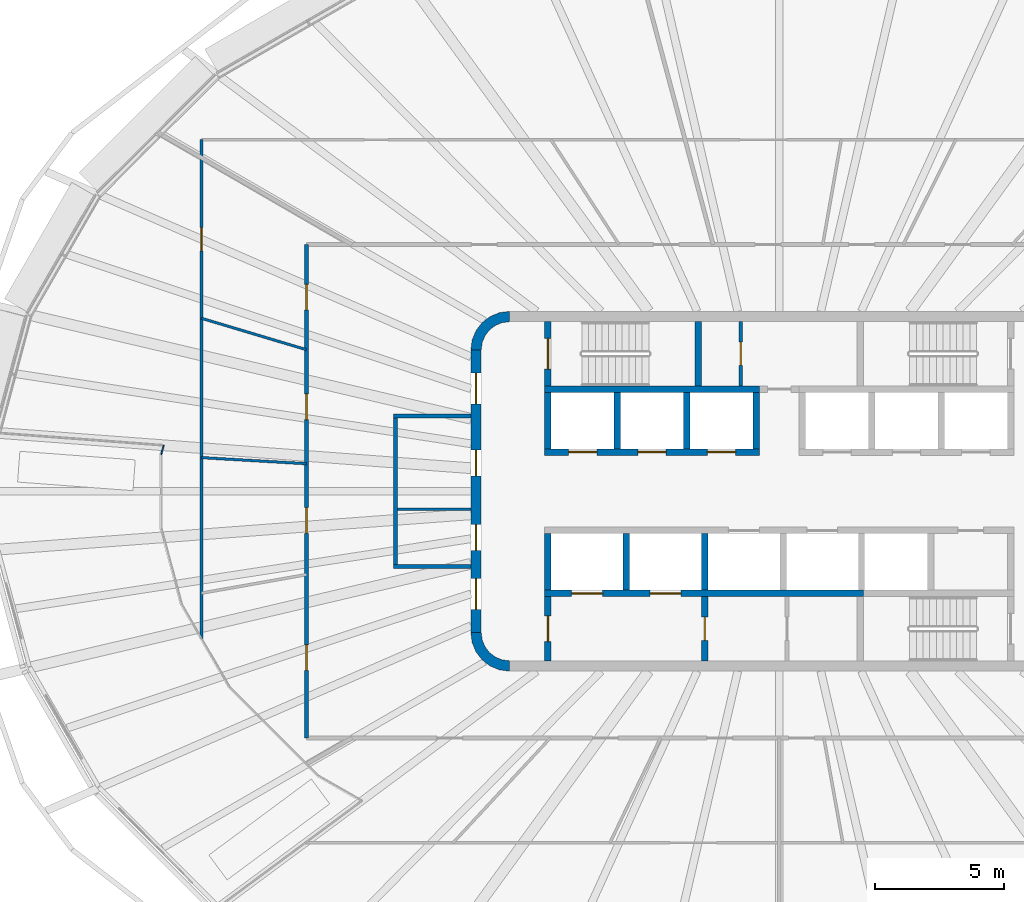
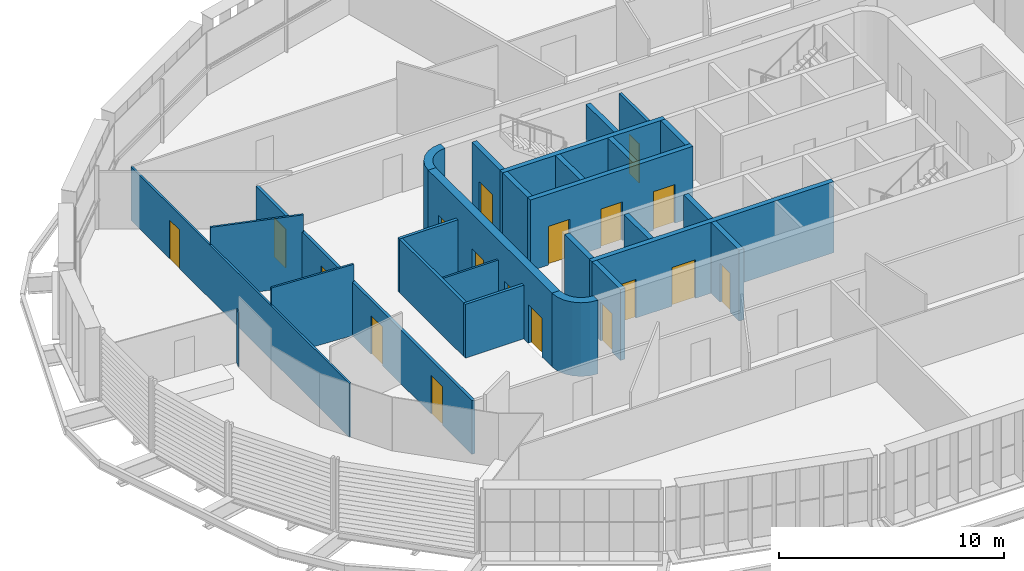
# One storey, part 10 of 20: 27 walls, 18 doors, 18 openings.
"""IFC4 building model written with IfcOpenShell, lengths in metres."""

from ifc_helpers import new_model, si_unit, direction, frame, frame_2d, origin, place, context, subcontext, project, spatial, polyline, rectangle, outline, extrude, material, layer, layer_set, type_object, element, fill, save


model = new_model("IFC4")

# Units and contexts
model_context = context("Model", 3, precision=1e-05, world=origin(), true_north=direction((0.0, 1.0)))
body_context = subcontext(model_context, "Body", "Model", "MODEL_VIEW")
ifc_project = project(units=[si_unit("LENGTHUNIT", "METRE"), si_unit("AREAUNIT", "SQUARE_METRE"), si_unit("VOLUMEUNIT", "CUBIC_METRE"), si_unit("PLANEANGLEUNIT", "RADIAN"), si_unit("MASSUNIT", "GRAM", prefix="KILO")], contexts=[model_context])

# Site, building, storey
site_placement = place(None, origin())
site = spatial("IfcSite", under=ifc_project, at=site_placement, CompositionType="ELEMENT")
building_placement = place(site_placement, origin())
building = spatial("IfcBuilding", under=site, at=building_placement, Name="Sahrelin Media Tower", CompositionType="ELEMENT")
storey_placement = place(building_placement, frame((0.0, 0.0, 221.60009765625)))
storey = spatial("IfcBuildingStorey", under=building, at=storey_placement, Name="L47", CompositionType="ELEMENT", Elevation=221.60009765625)

# Wall, openings, doors
ifc_material_1 = material(Name="Concrete C60/75", Category="concrete")
ifc_layer_1 = layer(ifc_material_1, 0.39990234375)
ifc_layer_set_1 = layer_set([ifc_layer_1], Name="Core wall 400")
wall_type_1 = type_object("IfcWallType", Name="Core wall 400", PredefinedType="SHEAR", material=ifc_layer_set_1)
wall_1_placement = place(storey_placement, frame((-11.800048828125, -5.5, 0.0), z_axis=(0.0, 0.0, 1.0), x_axis=(0.0, 1.0, 0.0)))
wall_1 = element("IfcWall", 1, at=wall_1_placement, inside=storey, type_object=wall_type_1, Name="Core wall W L47", PredefinedType="SHEAR", context=body_context, shape_type="SweptSolid", body=[
    extrude(rectangle(XDim=11.0, YDim=0.39990234375, at=frame_2d((5.5, 0.0))), origin(), (0.0, 0.0, 1.0), 4.0),
])
opening_1_placement = place(wall_1_placement, frame((3.199951171875, 0.0, 0.0)))
opening_1 = element("IfcOpeningElement", 2, at=opening_1_placement, cuts=wall_1, Name="Opening L47-D10", PredefinedType="OPENING", context=body_context, shape_type="SweptSolid", body=[
    extrude(rectangle(XDim=1.0, YDim=2.10009765625, at=frame_2d((0.5, 1.050048828125))), frame((0.0, 0.199951171875, 0.0), z_axis=(0.0, -1.0, 0.0), x_axis=(1.0, 0.0, 0.0)), (0.0, 0.0, 1.0), 0.39990234375),
])
opening_2_placement = place(wall_1_placement, frame((6.10009765625, 0.0, 0.0)))
opening_2 = element("IfcOpeningElement", 3, at=opening_2_placement, cuts=wall_1, Name="Opening L47-D11", PredefinedType="OPENING", context=body_context, shape_type="SweptSolid", body=[
    extrude(rectangle(XDim=1.0, YDim=2.10009765625, at=frame_2d((0.5, 1.050048828125))), frame((0.0, 0.199951171875, 0.0), z_axis=(0.0, -1.0, 0.0), x_axis=(1.0, 0.0, 0.0)), (0.0, 0.0, 1.0), 0.39990234375),
])
opening_3_placement = place(wall_1_placement, frame((0.89990234375, 0.0, 0.0)))
opening_3 = element("IfcOpeningElement", 4, at=opening_3_placement, cuts=wall_1, Name="Opening L47-D14", PredefinedType="OPENING", context=body_context, shape_type="SweptSolid", body=[
    extrude(rectangle(XDim=1.199951171875, YDim=2.10009765625, at=frame_2d((0.60009765625, 1.050048828125))), frame((0.0, 0.199951171875, 0.0), z_axis=(0.0, -1.0, 0.0), x_axis=(1.0, 0.0, 0.0)), (0.0, 0.0, 1.0), 0.39990234375),
])
opening_4_placement = place(wall_1_placement, frame((8.89990234375, 0.0, 0.0)))
opening_4 = element("IfcOpeningElement", 5, at=opening_4_placement, cuts=wall_1, Name="Opening L47-D15", PredefinedType="OPENING", context=body_context, shape_type="SweptSolid", body=[
    extrude(rectangle(XDim=1.199951171875, YDim=2.10009765625, at=frame_2d((0.60009765625, 1.050048828125))), frame((0.0, 0.199951171875, 0.0), z_axis=(0.0, -1.0, 0.0), x_axis=(1.0, 0.0, 0.0)), (0.0, 0.0, 1.0), 0.39990234375),
])
ifc_material_2 = material(Name="Steel fire door leaf", Category="steel")
door_type_1 = type_object("IfcDoorType", Name="Fire door 1000 x 2100 EI 60", OperationType="NOTDEFINED", PredefinedType="DOOR", material=ifc_material_2)
door_1_placement = place(opening_1_placement, origin())
door_1 = element("IfcDoor", 6, at=door_1_placement, inside=storey, type_object=door_type_1, Name="Core room door", OperationType="SINGLE_SWING_RIGHT", OverallHeight=2.10009765625, OverallWidth=1.0, PredefinedType="DOOR", context=body_context, shape_type="SweptSolid", body=[
    extrude(rectangle(XDim=1.0, YDim=2.10009765625, at=frame_2d((0.5, 1.050048828125))), frame((0.0, 0.02490234375, 0.0), z_axis=(0.0, -1.0, 0.0), x_axis=(1.0, 0.0, 0.0)), (0.0, 0.0, 1.0), 0.050048828125),
])
fill(opening_1, door_1)
door_2_placement = place(opening_2_placement, origin())
door_2 = element("IfcDoor", 7, at=door_2_placement, inside=storey, type_object=door_type_1, Name="Core room door", OperationType="SINGLE_SWING_RIGHT", OverallHeight=2.10009765625, OverallWidth=1.0, PredefinedType="DOOR", context=body_context, shape_type="SweptSolid", body=[
    extrude(rectangle(XDim=1.0, YDim=2.10009765625, at=frame_2d((0.5, 1.050048828125))), frame((0.0, 0.02490234375, 0.0), z_axis=(0.0, -1.0, 0.0), x_axis=(1.0, 0.0, 0.0)), (0.0, 0.0, 1.0), 0.050048828125),
])
fill(opening_2, door_2)
door_type_2 = type_object("IfcDoorType", Name="Lobby door 1200 x 2100 EI 60", OperationType="NOTDEFINED", PredefinedType="DOOR", material=ifc_material_2)
door_3_placement = place(opening_3_placement, origin())
door_3 = element("IfcDoor", 8, at=door_3_placement, inside=storey, type_object=door_type_2, Name="Lobby door", OperationType="SINGLE_SWING_LEFT", OverallHeight=2.10009765625, OverallWidth=1.199951171875, PredefinedType="DOOR", context=body_context, shape_type="SweptSolid", body=[
    extrude(rectangle(XDim=1.199951171875, YDim=2.10009765625, at=frame_2d((0.60009765625, 1.050048828125))), frame((0.0, 0.02490234375, 0.0), z_axis=(0.0, -1.0, 0.0), x_axis=(1.0, 0.0, 0.0)), (0.0, 0.0, 1.0), 0.050048828125),
])
fill(opening_3, door_3)
door_4_placement = place(opening_4_placement, origin())
door_4 = element("IfcDoor", 9, at=door_4_placement, inside=storey, type_object=door_type_2, Name="Lobby door", OperationType="SINGLE_SWING_LEFT", OverallHeight=2.10009765625, OverallWidth=1.199951171875, PredefinedType="DOOR", context=body_context, shape_type="SweptSolid", body=[
    extrude(rectangle(XDim=1.199951171875, YDim=2.10009765625, at=frame_2d((0.60009765625, 1.050048828125))), frame((0.0, 0.02490234375, 0.0), z_axis=(0.0, -1.0, 0.0), x_axis=(1.0, 0.0, 0.0)), (0.0, 0.0, 1.0), 0.050048828125),
])
fill(opening_4, door_4)

# Walls
placement = place(storey_placement, origin())
element("IfcWall", 10, at=placement, inside=storey, type_object=wall_type_1, Name="Core wall corner NW L47", PredefinedType="SHEAR", context=body_context, shape_type="SweptSolid", body=[
    extrude(outline(polyline([(-12.0, 5.5), (-11.596435546875, 5.5), (-11.55908203125, 5.78369140625), (-11.44970703125, 6.04833984375), (-11.275390625, 6.275390625), (-11.04833984375, 6.44970703125), (-10.78369140625, 6.55908203125), (-10.5, 6.596435546875), (-10.5, 7.0), (-10.88818359375, 6.948974609375), (-11.25, 6.799072265625), (-11.560791015625, 6.560791015625), (-11.799072265625, 6.25), (-11.948974609375, 5.88818359375), (-12.0, 5.5)])), origin(), (0.0, 0.0, 1.0), 4.0),
])
element("IfcWall", 11, at=placement, inside=storey, type_object=wall_type_1, Name="Core wall corner SW L47", PredefinedType="SHEAR", context=body_context, shape_type="SweptSolid", body=[
    extrude(outline(polyline([(-10.5, -7.0), (-10.5, -6.596435546875), (-10.78369140625, -6.55908203125), (-11.04833984375, -6.44970703125), (-11.275390625, -6.275390625), (-11.44970703125, -6.04833984375), (-11.55908203125, -5.78369140625), (-11.596435546875, -5.5), (-12.0, -5.5), (-11.948974609375, -5.88818359375), (-11.799072265625, -6.25), (-11.560791015625, -6.560791015625), (-11.25, -6.799072265625), (-10.88818359375, -6.948974609375), (-10.5, -7.0)])), origin(), (0.0, 0.0, 1.0), 4.0),
])
ifc_material_3 = material(Name="Fire-rated gypsum board partition")
ifc_layer_2 = layer(ifc_material_3, 0.10009765625)
ifc_layer_set_2 = layer_set([ifc_layer_2], Name="Fire-rated partition 100")
wall_type_2 = type_object("IfcWallType", Name="Fire-rated partition 100", PredefinedType="PARTITIONING", material=ifc_layer_set_2)
wall_4_placement = place(storey_placement, frame((-14.85009765625, -0.699951171875, 0.0), z_axis=(0.0, 0.0, 1.0), x_axis=(1.0, 0.0, 0.0)))
element("IfcWall", 12, at=wall_4_placement, inside=storey, type_object=wall_type_2, Name="Core room partition", PredefinedType="PARTITIONING", context=body_context, shape_type="SweptSolid", body=[
    extrude(rectangle(XDim=2.85009765625, YDim=0.10009765625, at=frame_2d((1.425048828125, 0.0))), origin(), (0.0, 0.0, 1.0), 2.918212890625),
])

# Wall, opening, door
ifc_layer_3 = layer(ifc_material_3, 0.14990234375)
ifc_layer_set_3 = layer_set([ifc_layer_3], Name="Fire-rated partition 150")
wall_type_3 = type_object("IfcWallType", Name="Fire-rated partition 150", PredefinedType="PARTITIONING", material=ifc_layer_set_3)
wall_5_placement = place(storey_placement, frame((-1.5, 4.10009765625, 0.0), z_axis=(0.0, 0.0, 1.0), x_axis=(0.0, 1.0, 0.0)))
wall_5 = element("IfcWall", 13, at=wall_5_placement, inside=storey, type_object=wall_type_3, Name="Core room fire partition", PredefinedType="PARTITIONING", context=body_context, shape_type="SweptSolid", body=[
    extrude(rectangle(XDim=2.5, YDim=0.14990234375, at=frame_2d((1.25, 0.0))), origin(), (0.0, 0.0, 1.0), 3.849853515625),
])
opening_5_placement = place(wall_5_placement, frame((0.800048828125, 0.0, 0.0)))
opening_5 = element("IfcOpeningElement", 14, at=opening_5_placement, cuts=wall_5, Name="Opening L47-D07", PredefinedType="OPENING", context=body_context, shape_type="SweptSolid", body=[
    extrude(rectangle(XDim=0.89990234375, YDim=2.10009765625, at=frame_2d((0.449951171875, 1.050048828125))), frame((0.0, 0.074951171875, 0.0), z_axis=(0.0, -1.0, 0.0), x_axis=(1.0, 0.0, 0.0)), (0.0, 0.0, 1.0), 0.14990234375),
])
door_type_3 = type_object("IfcDoorType", Name="Fire door 900 x 2100 EI 60", OperationType="NOTDEFINED", PredefinedType="DOOR", material=ifc_material_2)
door_5_placement = place(opening_5_placement, origin())
door_5 = element("IfcDoor", 15, at=door_5_placement, inside=storey, type_object=door_type_3, Name="Core room door", OperationType="SINGLE_SWING_LEFT", OverallHeight=2.10009765625, OverallWidth=0.89990234375, PredefinedType="DOOR", context=body_context, shape_type="SweptSolid", body=[
    extrude(rectangle(XDim=0.89990234375, YDim=2.10009765625, at=frame_2d((0.449951171875, 1.050048828125))), frame((0.0, 0.02490234375, 0.0), z_axis=(0.0, -1.0, 0.0), x_axis=(1.0, 0.0, 0.0)), (0.0, 0.0, 1.0), 0.050048828125),
])
fill(opening_5, door_5)

# Walls
wall_6_placement = place(storey_placement, frame((-14.925048828125, -2.85009765625, 0.0), z_axis=(0.0, 0.0, 1.0), x_axis=(0.0, 1.0, 0.0)))
element("IfcWall", 16, at=wall_6_placement, inside=storey, type_object=wall_type_3, Name="Core room fire partition", PredefinedType="PARTITIONING", context=body_context, shape_type="SweptSolid", body=[
    extrude(rectangle(XDim=5.7001953125, YDim=0.14990234375, at=frame_2d((2.85009765625, 0.0))), origin(), (0.0, 0.0, 1.0), 2.918212890625),
])
for number, where, z_axis, x_axis, name in (
    (17, (-15.0, 2.925048828125, 0.0), (0.0, 0.0, 1.0), (1.0, 0.0, 0.0), "Core room fire partition"),
    (18, (-15.0, -2.925048828125, 0.0), (0.0, 0.0, 1.0), (1.0, 0.0, 0.0), "Core room fire partition"),
):
    element("IfcWall", number, at=place(storey_placement, frame(where, z_axis=z_axis, x_axis=x_axis)), inside=storey, type_object=wall_type_3, Name=name, PredefinedType="PARTITIONING", context=body_context, shape_type="SweptSolid", body=[
        extrude(rectangle(XDim=3.0, YDim=0.14990234375, at=frame_2d((1.5, 0.0))), origin(), (0.0, 0.0, 1.0), 2.918212890625),
    ])

# Wall, openings, doors
wall_7_placement = place(storey_placement, frame((-18.39990234375, -9.60009765625, 0.0), z_axis=(0.0, 0.0, 1.0), x_axis=(0.0, 1.0, 0.0)))
wall_7 = element("IfcWall", 19, at=wall_7_placement, inside=storey, type_object=wall_type_3, Name="Wall", PredefinedType="PARTITIONING", context=body_context, shape_type="SweptSolid", body=[
    extrude(rectangle(XDim=19.2001953125, YDim=0.14990234375, at=frame_2d((9.60009765625, 0.0))), origin(), (0.0, 0.0, 1.0), 2.918212890625),
])
opening_6_placement = place(wall_7_placement, frame((16.654541015625, 0.0, 0.0)))
opening_6 = element("IfcOpeningElement", 20, at=opening_6_placement, cuts=wall_7, Name="Opening L47-D18", PredefinedType="OPENING", context=body_context, shape_type="SweptSolid", body=[
    extrude(rectangle(XDim=1.0, YDim=2.10009765625, at=frame_2d((0.5, 1.050048828125))), frame((0.0, 0.074951171875, 0.0), z_axis=(0.0, -1.0, 0.0), x_axis=(1.0, 0.0, 0.0)), (0.0, 0.0, 1.0), 0.14990234375),
])
opening_7_placement = place(wall_7_placement, frame((12.390380859375, 0.0, 0.0)))
opening_7 = element("IfcOpeningElement", 21, at=opening_7_placement, cuts=wall_7, Name="Opening L47-D19", PredefinedType="OPENING", context=body_context, shape_type="SweptSolid", body=[
    extrude(rectangle(XDim=1.0, YDim=2.10009765625, at=frame_2d((0.5, 1.050048828125))), frame((0.0, 0.074951171875, 0.0), z_axis=(0.0, -1.0, 0.0), x_axis=(1.0, 0.0, 0.0)), (0.0, 0.0, 1.0), 0.14990234375),
])
opening_8_placement = place(wall_7_placement, frame((7.963623046875, 0.0, 0.0)))
opening_8 = element("IfcOpeningElement", 22, at=opening_8_placement, cuts=wall_7, Name="Opening L47-D20", PredefinedType="OPENING", context=body_context, shape_type="SweptSolid", body=[
    extrude(rectangle(XDim=1.0, YDim=2.10009765625, at=frame_2d((0.5, 1.050048828125))), frame((0.0, 0.074951171875, 0.0), z_axis=(0.0, -1.0, 0.0), x_axis=(1.0, 0.0, 0.0)), (0.0, 0.0, 1.0), 0.14990234375),
])
opening_9_placement = place(wall_7_placement, frame((2.627197265625, 0.0, 0.0)))
opening_9 = element("IfcOpeningElement", 23, at=opening_9_placement, cuts=wall_7, Name="Opening L47-D21", PredefinedType="OPENING", context=body_context, shape_type="SweptSolid", body=[
    extrude(rectangle(XDim=1.0, YDim=2.10009765625, at=frame_2d((0.5, 1.050048828125))), frame((0.0, 0.074951171875, 0.0), z_axis=(0.0, -1.0, 0.0), x_axis=(1.0, 0.0, 0.0)), (0.0, 0.0, 1.0), 0.14990234375),
])
door_6_placement = place(opening_6_placement, origin())
door_6 = element("IfcDoor", 24, at=door_6_placement, inside=storey, type_object=door_type_1, Name="Fire door", OperationType="SINGLE_SWING_LEFT", OverallHeight=2.10009765625, OverallWidth=1.0, PredefinedType="DOOR", context=body_context, shape_type="SweptSolid", body=[
    extrude(rectangle(XDim=1.0, YDim=2.10009765625, at=frame_2d((0.5, 1.050048828125))), frame((0.0, 0.02490234375, 0.0), z_axis=(0.0, -1.0, 0.0), x_axis=(1.0, 0.0, 0.0)), (0.0, 0.0, 1.0), 0.050048828125),
])
fill(opening_6, door_6)
door_7_placement = place(opening_7_placement, origin())
door_7 = element("IfcDoor", 25, at=door_7_placement, inside=storey, type_object=door_type_1, Name="Fire door", OperationType="SINGLE_SWING_LEFT", OverallHeight=2.10009765625, OverallWidth=1.0, PredefinedType="DOOR", context=body_context, shape_type="SweptSolid", body=[
    extrude(rectangle(XDim=1.0, YDim=2.10009765625, at=frame_2d((0.5, 1.050048828125))), frame((0.0, 0.02490234375, 0.0), z_axis=(0.0, -1.0, 0.0), x_axis=(1.0, 0.0, 0.0)), (0.0, 0.0, 1.0), 0.050048828125),
])
fill(opening_7, door_7)
door_8_placement = place(opening_8_placement, origin())
door_8 = element("IfcDoor", 26, at=door_8_placement, inside=storey, type_object=door_type_1, Name="Fire door", OperationType="SINGLE_SWING_LEFT", OverallHeight=2.10009765625, OverallWidth=1.0, PredefinedType="DOOR", context=body_context, shape_type="SweptSolid", body=[
    extrude(rectangle(XDim=1.0, YDim=2.10009765625, at=frame_2d((0.5, 1.050048828125))), frame((0.0, 0.02490234375, 0.0), z_axis=(0.0, -1.0, 0.0), x_axis=(1.0, 0.0, 0.0)), (0.0, 0.0, 1.0), 0.050048828125),
])
fill(opening_8, door_8)
door_9_placement = place(opening_9_placement, origin())
door_9 = element("IfcDoor", 27, at=door_9_placement, inside=storey, type_object=door_type_1, Name="Fire door", OperationType="SINGLE_SWING_LEFT", OverallHeight=2.10009765625, OverallWidth=1.0, PredefinedType="DOOR", context=body_context, shape_type="SweptSolid", body=[
    extrude(rectangle(XDim=1.0, YDim=2.10009765625, at=frame_2d((0.5, 1.050048828125))), frame((0.0, 0.02490234375, 0.0), z_axis=(0.0, -1.0, 0.0), x_axis=(1.0, 0.0, 0.0)), (0.0, 0.0, 1.0), 0.050048828125),
])
fill(opening_9, door_9)

# Wall, opening, door
ifc_layer_4 = layer(ifc_material_3, 0.25)
ifc_layer_set_4 = layer_set([ifc_layer_4], Name="Firefighting lobby wall 250")
wall_type_4 = type_object("IfcWallType", Name="Firefighting lobby wall 250", PredefinedType="PARTITIONING", material=ifc_layer_set_4)
wall_8_placement = place(storey_placement, frame((-9.0, -6.60009765625, 0.0), z_axis=(0.0, 0.0, 1.0), x_axis=(0.0, 1.0, 0.0)))
wall_8 = element("IfcWall", 28, at=wall_8_placement, inside=storey, type_object=wall_type_4, Name="Core wall", PredefinedType="PARTITIONING", context=body_context, shape_type="SweptSolid", body=[
    extrude(rectangle(XDim=2.5, YDim=0.25, at=frame_2d((1.25, 0.0))), origin(), (0.0, 0.0, 1.0), 3.849853515625),
])
opening_10_placement = place(wall_8_placement, frame((0.75, 0.0, 0.0)))
opening_10 = element("IfcOpeningElement", 29, at=opening_10_placement, cuts=wall_8, Name="Opening L47-D04", PredefinedType="OPENING", context=body_context, shape_type="SweptSolid", body=[
    extrude(rectangle(XDim=1.0, YDim=2.10009765625, at=frame_2d((0.5, 1.050048828125))), frame((0.0, 0.125, 0.0), z_axis=(0.0, -1.0, 0.0), x_axis=(1.0, 0.0, 0.0)), (0.0, 0.0, 1.0), 0.25),
])
door_type_4 = type_object("IfcDoorType", Name="Firefighting lobby door 1000 x 2100 EI 120", OperationType="NOTDEFINED", PredefinedType="DOOR", material=ifc_material_2)
door_10_placement = place(opening_10_placement, origin())
door_10 = element("IfcDoor", 30, at=door_10_placement, inside=storey, type_object=door_type_4, Name="Firefighting lobby door", OperationType="SINGLE_SWING_LEFT", OverallHeight=2.10009765625, OverallWidth=1.0, PredefinedType="DOOR", context=body_context, shape_type="SweptSolid", body=[
    extrude(rectangle(XDim=1.0, YDim=2.10009765625, at=frame_2d((0.5, 1.050048828125))), frame((0.0, 0.02490234375, 0.0), z_axis=(0.0, -1.0, 0.0), x_axis=(1.0, 0.0, 0.0)), (0.0, 0.0, 1.0), 0.050048828125),
])
fill(opening_10, door_10)

wall_9_placement = place(storey_placement, frame((-2.89990234375, -6.60009765625, 0.0), z_axis=(0.0, 0.0, 1.0), x_axis=(0.0, 1.0, 0.0)))
wall_9 = element("IfcWall", 31, at=wall_9_placement, inside=storey, type_object=wall_type_4, Name="Core wall", PredefinedType="PARTITIONING", context=body_context, shape_type="SweptSolid", body=[
    extrude(rectangle(XDim=2.5, YDim=0.25, at=frame_2d((1.25, 0.0))), origin(), (0.0, 0.0, 1.0), 3.849853515625),
])
opening_11_placement = place(wall_9_placement, frame((0.800048828125, 0.0, 0.0)))
opening_11 = element("IfcOpeningElement", 32, at=opening_11_placement, cuts=wall_9, Name="Opening L47-D05", PredefinedType="OPENING", context=body_context, shape_type="SweptSolid", body=[
    extrude(rectangle(XDim=0.89990234375, YDim=2.10009765625, at=frame_2d((0.449951171875, 1.050048828125))), frame((0.0, 0.125, 0.0), z_axis=(0.0, -1.0, 0.0), x_axis=(1.0, 0.0, 0.0)), (0.0, 0.0, 1.0), 0.25),
])
door_type_5 = type_object("IfcDoorType", Name="Firefighting lobby door 900 x 2100 EI 120", OperationType="NOTDEFINED", PredefinedType="DOOR", material=ifc_material_2)
door_11_placement = place(opening_11_placement, origin())
door_11 = element("IfcDoor", 33, at=door_11_placement, inside=storey, type_object=door_type_5, Name="Riser door", OperationType="SINGLE_SWING_RIGHT", OverallHeight=2.10009765625, OverallWidth=0.89990234375, PredefinedType="DOOR", context=body_context, shape_type="SweptSolid", body=[
    extrude(rectangle(XDim=0.89990234375, YDim=2.10009765625, at=frame_2d((0.449951171875, 1.050048828125))), frame((0.0, 0.02490234375, 0.0), z_axis=(0.0, -1.0, 0.0), x_axis=(1.0, 0.0, 0.0)), (0.0, 0.0, 1.0), 0.050048828125),
])
fill(opening_11, door_11)

# Wall
ifc_material_4 = material(Name="Clear glass", Category="glass")
ifc_layer_5 = layer(ifc_material_4, 0.050048828125)
ifc_layer_set_5 = layer_set([ifc_layer_5], Name="Glazed partition 50")
wall_type_5 = type_object("IfcWallType", Name="Glazed partition 50", PredefinedType="PARTITIONING", material=ifc_layer_set_5)
wall_10_placement = place(storey_placement, frame((-24.048095703125, 1.427001953125, 0.0), z_axis=(0.0, 0.0, 1.0), x_axis=(0.259202654617, 0.965822956778, 0.0)))
element("IfcWall", 34, at=wall_10_placement, inside=storey, type_object=wall_type_5, Name="Wall", PredefinedType="PARTITIONING", context=body_context, shape_type="SweptSolid", body=[
    extrude(rectangle(XDim=0.374755859375, YDim=0.050048828125, at=frame_2d((0.1875, 0.0))), origin(), (0.0, 0.0, 1.0), 2.918212890625),
])

# Wall, openings, doors
ifc_layer_6 = layer(ifc_material_1, 0.25)
ifc_layer_set_6 = layer_set([ifc_layer_6], Name="Lift shaft wall 250")
wall_type_6 = type_object("IfcWallType", Name="Lift shaft wall 250", PredefinedType="SOLIDWALL", material=ifc_layer_set_6)
wall_11_placement = place(storey_placement, frame((-9.125, 1.52490234375, 0.0), z_axis=(0.0, 0.0, 1.0), x_axis=(1.0, 0.0, 0.0)))
wall_11 = element("IfcWall", 35, at=wall_11_placement, inside=storey, type_object=wall_type_6, Name="Lift shaft wall", PredefinedType="SOLIDWALL", context=body_context, shape_type="SweptSolid", body=[
    extrude(rectangle(XDim=8.35009765625, YDim=0.25, at=frame_2d((4.175048828125, 0.0))), origin(), (0.0, 0.0, 1.0), 3.849853515625),
])
opening_12_placement = place(wall_11_placement, frame((0.925048828125, 0.0, 0.0)))
opening_12 = element("IfcOpeningElement", 36, at=opening_12_placement, cuts=wall_11, Name="Opening L47-LD-HR1", PredefinedType="OPENING", context=body_context, shape_type="SweptSolid", body=[
    extrude(rectangle(XDim=1.10009765625, YDim=2.10009765625, at=frame_2d((0.550048828125, 1.050048828125))), frame((0.0, 0.125, 0.0), z_axis=(0.0, -1.0, 0.0), x_axis=(1.0, 0.0, 0.0)), (0.0, 0.0, 1.0), 0.25),
])
opening_13_placement = place(wall_11_placement, frame((3.625, 0.0, 0.0)))
opening_13 = element("IfcOpeningElement", 37, at=opening_13_placement, cuts=wall_11, Name="Opening L47-LD-HR2", PredefinedType="OPENING", context=body_context, shape_type="SweptSolid", body=[
    extrude(rectangle(XDim=1.10009765625, YDim=2.10009765625, at=frame_2d((0.550048828125, 1.050048828125))), frame((0.0, 0.125, 0.0), z_axis=(0.0, -1.0, 0.0), x_axis=(1.0, 0.0, 0.0)), (0.0, 0.0, 1.0), 0.25),
])
opening_14_placement = place(wall_11_placement, frame((6.324951171875, 0.0, 0.0)))
opening_14 = element("IfcOpeningElement", 38, at=opening_14_placement, cuts=wall_11, Name="Opening L47-LD-HR3", PredefinedType="OPENING", context=body_context, shape_type="SweptSolid", body=[
    extrude(rectangle(XDim=1.10009765625, YDim=2.10009765625, at=frame_2d((0.550048828125, 1.050048828125))), frame((0.0, 0.125, 0.0), z_axis=(0.0, -1.0, 0.0), x_axis=(1.0, 0.0, 0.0)), (0.0, 0.0, 1.0), 0.25),
])
ifc_material_5 = material(Name="Stainless steel", Category="steel")
door_type_6 = type_object("IfcDoorType", Name="Lift landing door 1100 x 2100 EI 120", OperationType="DOUBLE_DOOR_SLIDING", PredefinedType="DOOR", material=ifc_material_5)
door_12_placement = place(opening_12_placement, origin())
door_12 = element("IfcDoor", 39, at=door_12_placement, inside=storey, type_object=door_type_6, Name="Lift landing door HR1", OperationType="DOUBLE_DOOR_SLIDING", OverallHeight=2.10009765625, OverallWidth=1.10009765625, PredefinedType="DOOR", context=body_context, shape_type="SweptSolid", body=[
    extrude(rectangle(XDim=1.10009765625, YDim=2.10009765625, at=frame_2d((0.550048828125, 1.050048828125))), frame((0.0, 0.02490234375, 0.0), z_axis=(0.0, -1.0, 0.0), x_axis=(1.0, 0.0, 0.0)), (0.0, 0.0, 1.0), 0.050048828125),
])
fill(opening_12, door_12)
door_13_placement = place(opening_13_placement, origin())
door_13 = element("IfcDoor", 40, at=door_13_placement, inside=storey, type_object=door_type_6, Name="Lift landing door HR2", OperationType="DOUBLE_DOOR_SLIDING", OverallHeight=2.10009765625, OverallWidth=1.10009765625, PredefinedType="DOOR", context=body_context, shape_type="SweptSolid", body=[
    extrude(rectangle(XDim=1.10009765625, YDim=2.10009765625, at=frame_2d((0.550048828125, 1.050048828125))), frame((0.0, 0.02490234375, 0.0), z_axis=(0.0, -1.0, 0.0), x_axis=(1.0, 0.0, 0.0)), (0.0, 0.0, 1.0), 0.050048828125),
])
fill(opening_13, door_13)
door_14_placement = place(opening_14_placement, origin())
door_14 = element("IfcDoor", 41, at=door_14_placement, inside=storey, type_object=door_type_6, Name="Lift landing door HR3", OperationType="DOUBLE_DOOR_SLIDING", OverallHeight=2.10009765625, OverallWidth=1.10009765625, PredefinedType="DOOR", context=body_context, shape_type="SweptSolid", body=[
    extrude(rectangle(XDim=1.10009765625, YDim=2.10009765625, at=frame_2d((0.550048828125, 1.050048828125))), frame((0.0, 0.02490234375, 0.0), z_axis=(0.0, -1.0, 0.0), x_axis=(1.0, 0.0, 0.0)), (0.0, 0.0, 1.0), 0.050048828125),
])
fill(opening_14, door_14)

# Walls
wall_12_placement = place(storey_placement, frame((-9.125, 3.97509765625, 0.0), z_axis=(0.0, 0.0, 1.0), x_axis=(1.0, 0.0, 0.0)))
element("IfcWall", 42, at=wall_12_placement, inside=storey, type_object=wall_type_6, Name="Lift shaft wall", PredefinedType="SOLIDWALL", context=body_context, shape_type="SweptSolid", body=[
    extrude(rectangle(XDim=8.35009765625, YDim=0.25, at=frame_2d((4.175048828125, 0.0))), origin(), (0.0, 0.0, 1.0), 3.849853515625),
])
for number, where, z_axis, x_axis, name in (
    (43, (-9.0, 1.64990234375, 0.0), (0.0, 0.0, 1.0), (0.0, 1.0, 0.0), "Lift shaft wall"),
    (44, (-6.300048828125, 1.64990234375, 0.0), (0.0, 0.0, 1.0), (0.0, 1.0, 0.0), "Lift shaft wall"),
    (45, (-3.60009765625, 1.64990234375, 0.0), (0.0, 0.0, 1.0), (0.0, 1.0, 0.0), "Lift shaft wall"),
    (46, (-0.89990234375, 1.64990234375, 0.0), (0.0, 0.0, 1.0), (0.0, 1.0, 0.0), "Lift shaft wall"),
):
    element("IfcWall", number, at=place(storey_placement, frame(where, z_axis=z_axis, x_axis=x_axis)), inside=storey, type_object=wall_type_6, Name=name, PredefinedType="SOLIDWALL", context=body_context, shape_type="SweptSolid", body=[
        extrude(rectangle(XDim=2.2001953125, YDim=0.25, at=frame_2d((1.10009765625, 0.0))), origin(), (0.0, 0.0, 1.0), 3.849853515625),
    ])

# Wall, openings, doors
wall_13_placement = place(storey_placement, frame((-9.125, -3.97509765625, 0.0), z_axis=(0.0, 0.0, 1.0), x_axis=(1.0, 0.0, 0.0)))
wall_13 = element("IfcWall", 47, at=wall_13_placement, inside=storey, type_object=wall_type_6, Name="Lift shaft wall", PredefinedType="SOLIDWALL", context=body_context, shape_type="SweptSolid", body=[
    extrude(rectangle(XDim=12.39990234375, YDim=0.25, at=frame_2d((6.199951171875, 0.0))), origin(), (0.0, 0.0, 1.0), 3.849853515625),
])
opening_15_placement = place(wall_13_placement, frame((1.050048828125, 0.0, 0.0)))
opening_15 = element("IfcOpeningElement", 48, at=opening_15_placement, cuts=wall_13, Name="Opening L47-LD-FF1", PredefinedType="OPENING", context=body_context, shape_type="SweptSolid", body=[
    extrude(rectangle(XDim=1.199951171875, YDim=2.10009765625, at=frame_2d((0.60009765625, 1.050048828125))), frame((0.0, 0.125, 0.0), z_axis=(0.0, -1.0, 0.0), x_axis=(1.0, 0.0, 0.0)), (0.0, 0.0, 1.0), 0.25),
])
opening_16_placement = place(wall_13_placement, frame((4.10009765625, 0.0, 0.0)))
opening_16 = element("IfcOpeningElement", 49, at=opening_16_placement, cuts=wall_13, Name="Opening L47-LD-FF2", PredefinedType="OPENING", context=body_context, shape_type="SweptSolid", body=[
    extrude(rectangle(XDim=1.199951171875, YDim=2.10009765625, at=frame_2d((0.60009765625, 1.050048828125))), frame((0.0, 0.125, 0.0), z_axis=(0.0, -1.0, 0.0), x_axis=(1.0, 0.0, 0.0)), (0.0, 0.0, 1.0), 0.25),
])
door_type_7 = type_object("IfcDoorType", Name="Lift landing door 1200 x 2100 EI 120", OperationType="DOUBLE_DOOR_SLIDING", PredefinedType="DOOR", material=ifc_material_5)
door_15_placement = place(opening_15_placement, origin())
door_15 = element("IfcDoor", 50, at=door_15_placement, inside=storey, type_object=door_type_7, Name="Lift landing door FF1", OperationType="DOUBLE_DOOR_SLIDING", OverallHeight=2.10009765625, OverallWidth=1.199951171875, PredefinedType="DOOR", context=body_context, shape_type="SweptSolid", body=[
    extrude(rectangle(XDim=1.199951171875, YDim=2.10009765625, at=frame_2d((0.60009765625, 1.050048828125))), frame((0.0, 0.02490234375, 0.0), z_axis=(0.0, -1.0, 0.0), x_axis=(1.0, 0.0, 0.0)), (0.0, 0.0, 1.0), 0.050048828125),
])
fill(opening_15, door_15)
door_16_placement = place(opening_16_placement, origin())
door_16 = element("IfcDoor", 51, at=door_16_placement, inside=storey, type_object=door_type_7, Name="Lift landing door FF2", OperationType="DOUBLE_DOOR_SLIDING", OverallHeight=2.10009765625, OverallWidth=1.199951171875, PredefinedType="DOOR", context=body_context, shape_type="SweptSolid", body=[
    extrude(rectangle(XDim=1.199951171875, YDim=2.10009765625, at=frame_2d((0.60009765625, 1.050048828125))), frame((0.0, 0.02490234375, 0.0), z_axis=(0.0, -1.0, 0.0), x_axis=(1.0, 0.0, 0.0)), (0.0, 0.0, 1.0), 0.050048828125),
])
fill(opening_16, door_16)

# Walls
for number, where, z_axis, x_axis, name in (
    (52, (-9.0, -3.85009765625, 0.0), (0.0, 0.0, 1.0), (0.0, 1.0, 0.0), "Lift shaft wall"),
    (53, (-5.949951171875, -3.85009765625, 0.0), (0.0, 0.0, 1.0), (0.0, 1.0, 0.0), "Lift shaft wall"),
    (54, (-2.89990234375, -3.85009765625, 0.0), (0.0, 0.0, 1.0), (0.0, 1.0, 0.0), "Lift shaft wall"),
):
    element("IfcWall", number, at=place(storey_placement, frame(where, z_axis=z_axis, x_axis=x_axis)), inside=storey, type_object=wall_type_6, Name=name, PredefinedType="SOLIDWALL", context=body_context, shape_type="SweptSolid", body=[
        extrude(rectangle(XDim=2.2001953125, YDim=0.25, at=frame_2d((1.10009765625, 0.0))), origin(), (0.0, 0.0, 1.0), 3.849853515625),
    ])
ifc_material_6 = material(Name="Gypsum board partition")
ifc_layer_7 = layer(ifc_material_6, 0.10009765625)
ifc_layer_set_7 = layer_set([ifc_layer_7], Name="Partition 100")
wall_type_7 = type_object("IfcWallType", Name="Partition 100", PredefinedType="PARTITIONING", material=ifc_layer_set_7)
wall_14_placement = place(storey_placement, frame((-22.47998046875, 6.72998046875, 0.0), z_axis=(0.0, 0.0, 1.0), x_axis=(0.958024854744, -0.286685154295, 0.0)))
element("IfcWall", 55, at=wall_14_placement, inside=storey, type_object=wall_type_7, Name="Wall", PredefinedType="PARTITIONING", context=body_context, shape_type="SweptSolid", body=[
    extrude(rectangle(XDim=4.2587890625, YDim=0.10009765625, at=frame_2d((2.12939453125, 0.0))), origin(), (0.0, 0.0, 1.0), 3.849853515625),
])
wall_15_placement = place(storey_placement, frame((-22.47998046875, 1.30908203125, 0.0), z_axis=(0.0, 0.0, 1.0), x_axis=(0.998316342586, -0.058004138861, 0.0)))
element("IfcWall", 56, at=wall_15_placement, inside=storey, type_object=wall_type_7, Name="Wall", PredefinedType="PARTITIONING", context=body_context, shape_type="SweptSolid", body=[
    extrude(rectangle(XDim=4.0869140625, YDim=0.10009765625, at=frame_2d((2.04345703125, 0.0))), origin(), (0.0, 0.0, 1.0), 3.849853515625),
])

# Wall, opening, door
wall_16_placement = place(storey_placement, frame((-22.47998046875, -5.72802734375, 0.0), z_axis=(0.0, 0.0, 1.0), x_axis=(0.0, 1.0, 0.0)))
wall_16 = element("IfcWall", 57, at=wall_16_placement, inside=storey, type_object=wall_type_7, Name="Wall", PredefinedType="PARTITIONING", context=body_context, shape_type="SweptSolid", body=[
    extrude(rectangle(XDim=19.407958984375, YDim=0.10009765625, at=frame_2d((9.7041015625, 0.0))), origin(), (0.0, 0.0, 1.0), 2.918212890625),
])
opening_17_placement = place(wall_16_placement, frame((15.081787109375, 0.0, 0.0)))
opening_17 = element("IfcOpeningElement", 58, at=opening_17_placement, cuts=wall_16, Name="Opening L47-D22", PredefinedType="OPENING", context=body_context, shape_type="SweptSolid", body=[
    extrude(rectangle(XDim=0.89990234375, YDim=2.10009765625, at=frame_2d((0.449951171875, 1.050048828125))), frame((0.0, 0.050048828125, 0.0), z_axis=(0.0, -1.0, 0.0), x_axis=(1.0, 0.0, 0.0)), (0.0, 0.0, 1.0), 0.10009765625),
])
ifc_material_7 = material(Name="Timber door leaf", Category="wood")
door_type_8 = type_object("IfcDoorType", Name="Single door 900 x 2100", OperationType="NOTDEFINED", PredefinedType="DOOR", material=ifc_material_7)
door_17_placement = place(opening_17_placement, origin())
door_17 = element("IfcDoor", 59, at=door_17_placement, inside=storey, type_object=door_type_8, Name="Single door", OperationType="SINGLE_SWING_RIGHT", OverallHeight=2.10009765625, OverallWidth=0.89990234375, PredefinedType="DOOR", context=body_context, shape_type="SweptSolid", body=[
    extrude(rectangle(XDim=0.89990234375, YDim=2.10009765625, at=frame_2d((0.449951171875, 1.050048828125))), frame((0.0, 0.02490234375, 0.0), z_axis=(0.0, -1.0, 0.0), x_axis=(1.0, 0.0, 0.0)), (0.0, 0.0, 1.0), 0.050048828125),
])
fill(opening_17, door_17)

ifc_layer_8 = layer(ifc_material_1, 0.25)
ifc_layer_set_8 = layer_set([ifc_layer_8], Name="Stair enclosure wall 250")
wall_type_8 = type_object("IfcWallType", Name="Stair enclosure wall 250", PredefinedType="SOLIDWALL", material=ifc_layer_set_8)
wall_17_placement = place(storey_placement, frame((-9.0, 4.10009765625, 0.0), z_axis=(0.0, 0.0, 1.0), x_axis=(0.0, 1.0, 0.0)))
wall_17 = element("IfcWall", 60, at=wall_17_placement, inside=storey, type_object=wall_type_8, Name="Stair enclosure wall", PredefinedType="SOLIDWALL", context=body_context, shape_type="SweptSolid", body=[
    extrude(rectangle(XDim=2.5, YDim=0.25, at=frame_2d((1.25, 0.0))), origin(), (0.0, 0.0, 1.0), 3.849853515625),
])
opening_18_placement = place(wall_17_placement, frame((0.64990234375, 0.0, 0.0)))
opening_18 = element("IfcOpeningElement", 61, at=opening_18_placement, cuts=wall_17, Name="Opening L47-D01", PredefinedType="OPENING", context=body_context, shape_type="SweptSolid", body=[
    extrude(rectangle(XDim=1.199951171875, YDim=2.10009765625, at=frame_2d((0.60009765625, 1.050048828125))), frame((0.0, 0.125, 0.0), z_axis=(0.0, -1.0, 0.0), x_axis=(1.0, 0.0, 0.0)), (0.0, 0.0, 1.0), 0.25),
])
door_type_9 = type_object("IfcDoorType", Name="Stair door 1200 x 2100 EI 120", OperationType="NOTDEFINED", PredefinedType="DOOR", material=ifc_material_2)
door_18_placement = place(opening_18_placement, origin())
door_18 = element("IfcDoor", 62, at=door_18_placement, inside=storey, type_object=door_type_9, Name="Stair door ST1", OperationType="SINGLE_SWING_RIGHT", OverallHeight=2.10009765625, OverallWidth=1.199951171875, PredefinedType="DOOR", context=body_context, shape_type="SweptSolid", body=[
    extrude(rectangle(XDim=1.199951171875, YDim=2.10009765625, at=frame_2d((0.60009765625, 1.050048828125))), frame((0.0, 0.02490234375, 0.0), z_axis=(0.0, -1.0, 0.0), x_axis=(1.0, 0.0, 0.0)), (0.0, 0.0, 1.0), 0.050048828125),
])
fill(opening_18, door_18)

# Wall
wall_18_placement = place(storey_placement, frame((-3.14990234375, 4.10009765625, 0.0), z_axis=(0.0, 0.0, 1.0), x_axis=(0.0, 1.0, 0.0)))
element("IfcWall", 63, at=wall_18_placement, inside=storey, type_object=wall_type_8, Name="Stair enclosure wall", PredefinedType="SOLIDWALL", context=body_context, shape_type="SweptSolid", body=[
    extrude(rectangle(XDim=2.5, YDim=0.25, at=frame_2d((1.25, 0.0))), origin(), (0.0, 0.0, 1.0), 3.849853515625),
])

save(model, "model.ifc")
